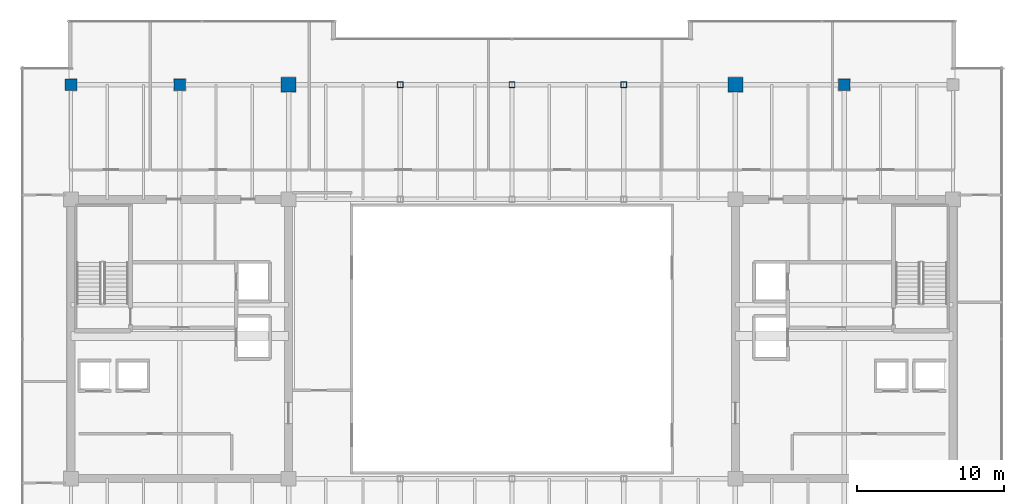
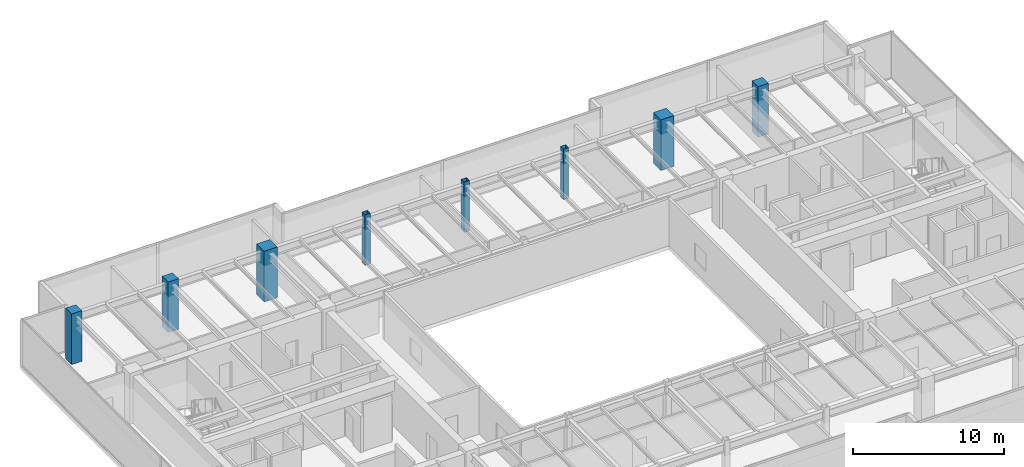
# One storey, part 3 of 35: 8 columns.
"""IFC4 building model written with IfcOpenShell, lengths in metres."""

from ifc_helpers import new_model, si_unit, direction, frame, origin, origin_2d, place, context, subcontext, project, spatial, rectangle, hollow_rectangle, extrude, source, transform, mapped, material, material_profile, profile_set, type_object, type_shapes, element, save


model = new_model("IFC4")

# Units and contexts
model_context = context("Model", 3, precision=1e-05, world=origin(), true_north=direction((0.0, 1.0)))
body_context = subcontext(model_context, "Body", "Model", "MODEL_VIEW")
ifc_project = project(units=[si_unit("LENGTHUNIT", "METRE"), si_unit("AREAUNIT", "SQUARE_METRE"), si_unit("VOLUMEUNIT", "CUBIC_METRE"), si_unit("PLANEANGLEUNIT", "RADIAN"), si_unit("MASSUNIT", "GRAM", prefix="KILO")], contexts=[model_context])

# Site, building, storey
site_placement = place(None, origin())
site = spatial("IfcSite", under=ifc_project, at=site_placement, CompositionType="ELEMENT")
building_placement = place(site_placement, origin())
building = spatial("IfcBuilding", under=site, at=building_placement, Name="Haelvirn Gate Laboratories", CompositionType="ELEMENT")
storey_placement = place(building_placement, frame((0.0, 0.0, 234.199951171875)))
storey = spatial("IfcBuildingStorey", under=building, at=storey_placement, Name="L56", CompositionType="ELEMENT", Elevation=234.199951171875)

# Columns
ifc_material_1 = material(Name="Concrete C60/75", Category="concrete")
ifc_material_profile_1 = material_profile(ifc_material_1, rectangle(XDim=1.0, YDim=1.0, at=origin_2d()), Name="RC-1000x1000")
ifc_profile_set_1 = profile_set([ifc_material_profile_1], Name="Concrete C60/75")
column_type_1 = type_object("IfcColumnType", Name="COL-RC-1000", PredefinedType="COLUMN", material=ifc_profile_set_1)
shared_shape_1 = source(origin(), body_context, "Body", "SweptSolid", [
    extrude(rectangle(XDim=1.0, YDim=1.0, at=origin_2d()), origin(), (0.0, 0.0, 1.0), 4.10009765625),
])
type_shapes(column_type_1, [shared_shape_1])
for number, where, z_axis, x_axis, name in (
    (1, (22.199951171875, 41.60009765625, 0.0), (0.0, 0.0, 1.0), (1.0, 0.0, 0.0), "L56 Column 4G"),
    (2, (52.60009765625, 41.60009765625, 0.0), (0.0, 0.0, 1.0), (1.0, 0.0, 0.0), "L56 Column 8G"),
):
    element("IfcColumn", number, at=place(storey_placement, frame(where, z_axis=z_axis, x_axis=x_axis)), inside=storey, type_object=column_type_1, Name=name, PredefinedType="COLUMN", context=body_context, shape_type="MappedRepresentation", body=[
        mapped(shared_shape_1, transform((0.0, 0.0, 0.0), scale=1.0)),
    ])
ifc_material_2 = material(Name="Concrete C50/60", Category="concrete")
ifc_material_profile_2 = material_profile(ifc_material_2, rectangle(XDim=0.800048828125, YDim=0.800048828125, at=origin_2d()), Name="RC-800x800")
ifc_profile_set_2 = profile_set([ifc_material_profile_2], Name="Concrete C50/60")
column_type_2 = type_object("IfcColumnType", Name="COL-RC-800", PredefinedType="COLUMN", material=ifc_profile_set_2)
shared_shape_2 = source(origin(), body_context, "Body", "SweptSolid", [
    extrude(rectangle(XDim=0.800048828125, YDim=0.800048828125, at=origin_2d()), origin(), (0.0, 0.0, 1.0), 4.10009765625),
])
type_shapes(column_type_2, [shared_shape_2])
for number, where, z_axis, x_axis, name in (
    (3, (14.800048828125, 41.60009765625, 0.0), (0.0, 0.0, 1.0), (1.0, 0.0, 0.0), "L56 Column 3G"),
    (4, (60.0, 41.60009765625, 0.0), (0.0, 0.0, 1.0), (1.0, 0.0, 0.0), "L56 Column 9G"),
    (5, (7.39990234375, 41.60009765625, 0.0), (0.0, 0.0, 1.0), (1.0, 0.0, 0.0), "L56 Column 2G"),
):
    element("IfcColumn", number, at=place(storey_placement, frame(where, z_axis=z_axis, x_axis=x_axis)), inside=storey, type_object=column_type_2, Name=name, PredefinedType="COLUMN", context=body_context, shape_type="MappedRepresentation", body=[
        mapped(shared_shape_2, transform((0.0, 0.0, 0.0), scale=1.0)),
    ])
ifc_material_3 = material(Name="Steel SM355", Category="steel")
ifc_material_profile_3 = material_profile(ifc_material_3, hollow_rectangle(XDim=0.39990234375, YDim=0.39990234375, WallThickness=0.01904296875, at=origin_2d()), Name="BOX-400x400x19")
ifc_profile_set_3 = profile_set([ifc_material_profile_3], Name="Steel SM355")
column_type_3 = type_object("IfcColumnType", Name="COL-BOX-400", PredefinedType="COLUMN", material=ifc_profile_set_3)
shared_shape_3 = source(origin(), body_context, "Body", "SweptSolid", [
    extrude(hollow_rectangle(XDim=0.39990234375, YDim=0.39990234375, WallThickness=0.01904296875, at=origin_2d()), origin(), (0.0, 0.0, 1.0), 4.10009765625),
])
type_shapes(column_type_3, [shared_shape_3])
for number, where, z_axis, x_axis, name in (
    (6, (29.800048828125, 41.60009765625, 0.0), (0.0, 0.0, 1.0), (1.0, 0.0, 0.0), "L56 Column 5G"),
    (7, (37.39990234375, 41.60009765625, 0.0), (0.0, 0.0, 1.0), (1.0, 0.0, 0.0), "L56 Column 6G"),
    (8, (45.0, 41.60009765625, 0.0), (0.0, 0.0, 1.0), (1.0, 0.0, 0.0), "L56 Column 7G"),
):
    element("IfcColumn", number, at=place(storey_placement, frame(where, z_axis=z_axis, x_axis=x_axis)), inside=storey, type_object=column_type_3, Name=name, PredefinedType="COLUMN", context=body_context, shape_type="MappedRepresentation", body=[
        mapped(shared_shape_3, transform((0.0, 0.0, 0.0), scale=1.0)),
    ])

save(model, "model.ifc")
